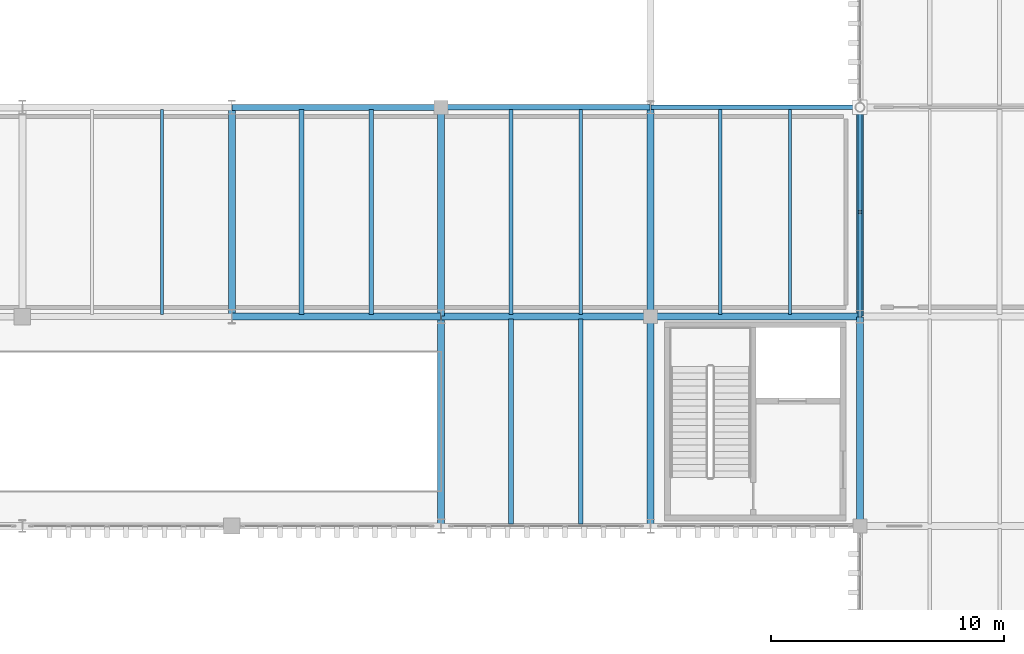
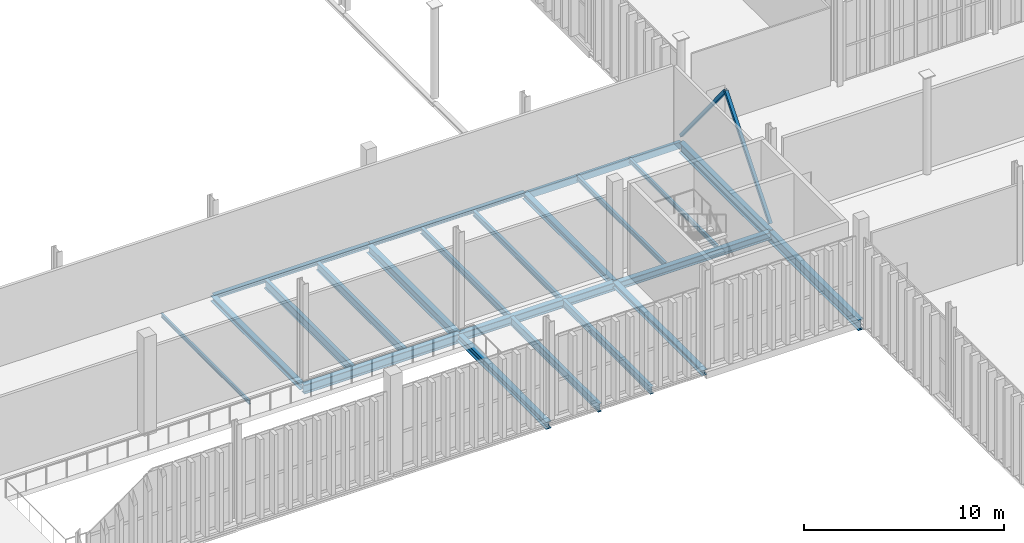
# One storey, part 87 of 237: 22 beams, 2 members.
"""IFC4 building model written with IfcOpenShell, lengths in metres."""

from ifc_helpers import new_model, si_unit, direction, frame, origin, origin_2d, place, context, subcontext, project, spatial, hollow_rectangle, i_section, extrude, material, material_profile, profile_set, type_object, element, save


model = new_model("IFC4")

# Units and contexts
model_context = context("Model", 3, precision=1e-05, world=origin(), true_north=direction((0.0, 1.0)))
body_context = subcontext(model_context, "Body", "Model", "MODEL_VIEW")
ifc_project = project(units=[si_unit("LENGTHUNIT", "METRE"), si_unit("AREAUNIT", "SQUARE_METRE"), si_unit("VOLUMEUNIT", "CUBIC_METRE"), si_unit("PLANEANGLEUNIT", "RADIAN"), si_unit("MASSUNIT", "GRAM", prefix="KILO")], contexts=[model_context])

# Site, building, storey
site_placement = place(None, origin())
site = spatial("IfcSite", under=ifc_project, at=site_placement, CompositionType="ELEMENT")
building_placement = place(site_placement, origin())
building = spatial("IfcBuilding", under=site, at=building_placement, Name="Barlavento Convention Centre", CompositionType="ELEMENT")
storey_placement = place(building_placement, frame((0.0, 0.0, 12.0)))
storey = spatial("IfcBuildingStorey", under=building, at=storey_placement, Name="L02", CompositionType="ELEMENT", Elevation=12.0)

# Beams
ifc_material = material(Name="Steel S355", Category="steel")
ifc_material_profile_1 = material_profile(ifc_material, i_section(OverallWidth=0.1201171875, OverallDepth=0.239990234375, WebThickness=0.006103515625, FlangeThickness=0.009765625, FilletRadius=0.014892578125, at=origin_2d()), Name="IPE 240")
ifc_profile_set_1 = profile_set([ifc_material_profile_1], Name="Steel S355")
beam_type_1 = type_object("IfcBeamType", Name="STR-BM-JST-IPE240", PredefinedType="JOIST", material=ifc_profile_set_1)
beam_1_placement = place(storey_placement, frame((96.0, 54.094970703125, -0.409912109375), z_axis=(0.0, 1.0, 0.0), x_axis=(-1.0, 0.0, 0.0)))
element("IfcBeam", 1, at=beam_1_placement, inside=storey, type_object=beam_type_1, Name="L02 composite floor joist SJ09", PredefinedType="JOIST", context=body_context, shape_type="SweptSolid", body=[
    extrude(i_section(OverallWidth=0.1201171875, OverallDepth=0.239990234375, WebThickness=0.006103515625, FlangeThickness=0.009765625, FilletRadius=0.014892578125, at=origin_2d()), origin(), (0.0, 0.0, 1.0), 8.81005859375),
])
ifc_material_profile_2 = material_profile(ifc_material, i_section(OverallWidth=0.135009765625, OverallDepth=0.27001953125, WebThickness=0.006591796875, FlangeThickness=0.01025390625, FilletRadius=0.014892578125, at=origin_2d()), Name="IPE 270")
ifc_profile_set_2 = profile_set([ifc_material_profile_2], Name="Steel S355")
beam_type_2 = type_object("IfcBeamType", Name="STR-BM-JST-IPE270", PredefinedType="JOIST", material=ifc_profile_set_2)
beam_2_placement = place(storey_placement, frame((123.0, 54.094970703125, -0.425048828125), z_axis=(0.0, 1.0, 0.0), x_axis=(-1.0, 0.0, 0.0)))
element("IfcBeam", 2, at=beam_2_placement, inside=storey, type_object=beam_type_2, Name="L02 composite floor joist SJ08", PredefinedType="JOIST", context=body_context, shape_type="SweptSolid", body=[
    extrude(i_section(OverallWidth=0.135009765625, OverallDepth=0.27001953125, WebThickness=0.006591796875, FlangeThickness=0.01025390625, FilletRadius=0.014892578125, at=origin_2d()), origin(), (0.0, 0.0, 1.0), 8.81005859375),
])
ifc_material_profile_3 = material_profile(ifc_material, i_section(OverallWidth=0.14990234375, OverallDepth=0.300048828125, WebThickness=0.007080078125, FlangeThickness=0.0107421875, FilletRadius=0.014892578125, at=origin_2d()), Name="IPE 300")
ifc_profile_set_3 = profile_set([ifc_material_profile_3], Name="Steel S355")
beam_type_3 = type_object("IfcBeamType", Name="STR-BM-JST-IPE300", PredefinedType="JOIST", material=ifc_profile_set_3)
beam_3_placement = place(storey_placement, frame((120.0, 54.094970703125, -0.43994140625), z_axis=(0.0, 1.0, 0.0), x_axis=(-1.0, 0.0, 0.0)))
element("IfcBeam", 3, at=beam_3_placement, inside=storey, type_object=beam_type_3, Name="L02 composite floor joist SJ07", PredefinedType="JOIST", context=body_context, shape_type="SweptSolid", body=[
    extrude(i_section(OverallWidth=0.14990234375, OverallDepth=0.300048828125, WebThickness=0.007080078125, FlangeThickness=0.0107421875, FilletRadius=0.014892578125, at=origin_2d()), origin(), (0.0, 0.0, 1.0), 8.81005859375),
])
ifc_material_profile_4 = material_profile(ifc_material, i_section(OverallWidth=0.169921875, OverallDepth=0.360107421875, WebThickness=0.008056640625, FlangeThickness=0.0126953125, FilletRadius=0.01806640625, at=origin_2d()), Name="IPE 360")
ifc_profile_set_4 = profile_set([ifc_material_profile_4], Name="Steel S355")
beam_type_4 = type_object("IfcBeamType", Name="STR-BM-JST-IPE360", PredefinedType="JOIST", material=ifc_profile_set_4)
beam_4_placement = place(storey_placement, frame((114.0, 54.094970703125, -0.469970703125), z_axis=(0.0, 1.0, 0.0), x_axis=(-1.0, 0.0, 0.0)))
element("IfcBeam", 4, at=beam_4_placement, inside=storey, type_object=beam_type_4, Name="L02 composite floor joist SJ05", PredefinedType="JOIST", context=body_context, shape_type="SweptSolid", body=[
    extrude(i_section(OverallWidth=0.169921875, OverallDepth=0.360107421875, WebThickness=0.008056640625, FlangeThickness=0.0126953125, FilletRadius=0.01806640625, at=origin_2d()), origin(), (0.0, 0.0, 1.0), 8.81005859375),
])
ifc_material_profile_5 = material_profile(ifc_material, i_section(OverallWidth=0.179931640625, OverallDepth=0.39990234375, WebThickness=0.008544921875, FlangeThickness=0.013427734375, FilletRadius=0.02099609375, at=origin_2d()), Name="IPE 400")
ifc_profile_set_5 = profile_set([ifc_material_profile_5], Name="Steel S355")
beam_type_5 = type_object("IfcBeamType", Name="STR-BM-JST-IPE400", PredefinedType="JOIST", material=ifc_profile_set_5)
beam_5_placement = place(storey_placement, frame((111.0, 54.094970703125, -0.489990234375), z_axis=(0.0, 1.0, 0.0), x_axis=(-1.0, 0.0, 0.0)))
element("IfcBeam", 5, at=beam_5_placement, inside=storey, type_object=beam_type_5, Name="L02 composite floor joist SJ04", PredefinedType="JOIST", context=body_context, shape_type="SweptSolid", body=[
    extrude(i_section(OverallWidth=0.179931640625, OverallDepth=0.39990234375, WebThickness=0.008544921875, FlangeThickness=0.013427734375, FilletRadius=0.02099609375, at=origin_2d()), origin(), (0.0, 0.0, 1.0), 8.81005859375),
])
ifc_material_profile_6 = material_profile(ifc_material, i_section(OverallWidth=0.18994140625, OverallDepth=0.449951171875, WebThickness=0.009521484375, FlangeThickness=0.0146484375, FilletRadius=0.02099609375, at=origin_2d()), Name="IPE 450")
ifc_profile_set_6 = profile_set([ifc_material_profile_6], Name="Steel S355")
beam_type_6 = type_object("IfcBeamType", Name="STR-BM-JST-IPE450", PredefinedType="JOIST", material=ifc_profile_set_6)
beam_6_placement = place(storey_placement, frame((114.0, 45.094970703125, -0.514892578125), z_axis=(0.0, 1.0, 0.0), x_axis=(-1.0, 0.0, 0.0)))
element("IfcBeam", 6, at=beam_6_placement, inside=storey, type_object=beam_type_6, Name="L02 composite floor joist SJ03", PredefinedType="JOIST", context=body_context, shape_type="SweptSolid", body=[
    extrude(i_section(OverallWidth=0.18994140625, OverallDepth=0.449951171875, WebThickness=0.009521484375, FlangeThickness=0.0146484375, FilletRadius=0.02099609375, at=origin_2d()), origin(), (0.0, 0.0, 1.0), 8.81005859375),
])
ifc_material_profile_7 = material_profile(ifc_material, i_section(OverallWidth=0.199951171875, OverallDepth=0.5, WebThickness=0.01025390625, FlangeThickness=0.01611328125, FilletRadius=0.02099609375, at=origin_2d()), Name="IPE 500")
ifc_profile_set_7 = profile_set([ifc_material_profile_7], Name="Steel S355")
beam_type_7 = type_object("IfcBeamType", Name="STR-BM-JST-IPE500", PredefinedType="JOIST", material=ifc_profile_set_7)
for number, where, z_axis, x_axis, name in (
    (7, (111.0, 45.094970703125, -0.5400390625), (0.0, 1.0, 0.0), (-1.0, 0.0, 0.0), "L02 composite floor joist SJ02"),
    (8, (105.0, 54.094970703125, -0.5400390625), (0.0, 1.0, 0.0), (-1.0, 0.0, 0.0), "L02 composite floor joist SJ02"),
):
    element("IfcBeam", number, at=place(storey_placement, frame(where, z_axis=z_axis, x_axis=x_axis)), inside=storey, type_object=beam_type_7, Name=name, PredefinedType="JOIST", context=body_context, shape_type="SweptSolid", body=[
        extrude(i_section(OverallWidth=0.199951171875, OverallDepth=0.5, WebThickness=0.01025390625, FlangeThickness=0.01611328125, FilletRadius=0.02099609375, at=origin_2d()), origin(), (0.0, 0.0, 1.0), 8.81005859375),
    ])
ifc_material_profile_8 = material_profile(ifc_material, i_section(OverallWidth=0.2099609375, OverallDepth=0.550048828125, WebThickness=0.010986328125, FlangeThickness=0.01708984375, FilletRadius=0.02392578125, at=origin_2d()), Name="IPE 550")
ifc_profile_set_8 = profile_set([ifc_material_profile_8], Name="Steel S355")
beam_type_8 = type_object("IfcBeamType", Name="STR-BM-JST-IPE550", PredefinedType="JOIST", material=ifc_profile_set_8)
beam_7_placement = place(storey_placement, frame((102.0, 54.094970703125, -0.56494140625), z_axis=(0.0, 1.0, 0.0), x_axis=(-1.0, 0.0, 0.0)))
element("IfcBeam", 9, at=beam_7_placement, inside=storey, type_object=beam_type_8, Name="L02 composite floor joist SJ01", PredefinedType="JOIST", context=body_context, shape_type="SweptSolid", body=[
    extrude(i_section(OverallWidth=0.2099609375, OverallDepth=0.550048828125, WebThickness=0.010986328125, FlangeThickness=0.01708984375, FilletRadius=0.02392578125, at=origin_2d()), origin(), (0.0, 0.0, 1.0), 8.81005859375),
])
ifc_material_profile_9 = material_profile(ifc_material, i_section(OverallWidth=0.300048828125, OverallDepth=0.330078125, WebThickness=0.009521484375, FlangeThickness=0.0166015625, FilletRadius=0.027099609375, at=origin_2d()), Name="HEA 340")
ifc_profile_set_9 = profile_set([ifc_material_profile_9], Name="Steel S355")
beam_type_9 = type_object("IfcBeamType", Name="STR-BM-PRI-HEA340", PredefinedType="BEAM", material=ifc_profile_set_9)
for number, where, z_axis, x_axis, name in (
    (10, (117.0, 45.02001953125, -0.455078125), (0.0, 1.0, 0.0), (-1.0, 0.0, 0.0), "L02 grid girder BG24"),
    (11, (99.0, 54.02001953125, -0.455078125), (0.0, 1.0, 0.0), (-1.0, 0.0, 0.0), "L02 grid girder BG24"),
):
    element("IfcBeam", number, at=place(storey_placement, frame(where, z_axis=z_axis, x_axis=x_axis)), inside=storey, type_object=beam_type_9, Name=name, PredefinedType="BEAM", context=body_context, shape_type="SweptSolid", body=[
        extrude(i_section(OverallWidth=0.300048828125, OverallDepth=0.330078125, WebThickness=0.009521484375, FlangeThickness=0.0166015625, FilletRadius=0.027099609375, at=origin_2d()), origin(), (0.0, 0.0, 1.0), 8.9599609375),
    ])
ifc_material_profile_10 = material_profile(ifc_material, i_section(OverallWidth=0.300048828125, OverallDepth=0.389892578125, WebThickness=0.010986328125, FlangeThickness=0.01904296875, FilletRadius=0.027099609375, at=origin_2d()), Name="HEA 400")
ifc_profile_set_10 = profile_set([ifc_material_profile_10], Name="Steel S355")
beam_type_10 = type_object("IfcBeamType", Name="STR-BM-PRI-HEA400", PredefinedType="BEAM", material=ifc_profile_set_10)
beam_8_placement = place(storey_placement, frame((117.0, 54.02001953125, -0.485107421875), z_axis=(0.0, 1.0, 0.0), x_axis=(-1.0, 0.0, 0.0)))
element("IfcBeam", 12, at=beam_8_placement, inside=storey, type_object=beam_type_10, Name="L02 grid girder BG22", PredefinedType="BEAM", context=body_context, shape_type="SweptSolid", body=[
    extrude(i_section(OverallWidth=0.300048828125, OverallDepth=0.389892578125, WebThickness=0.010986328125, FlangeThickness=0.01904296875, FilletRadius=0.027099609375, at=origin_2d()), origin(), (0.0, 0.0, 1.0), 8.9599609375),
])
ifc_material_profile_11 = material_profile(ifc_material, i_section(OverallWidth=0.300048828125, OverallDepth=0.43994140625, WebThickness=0.011474609375, FlangeThickness=0.02099609375, FilletRadius=0.027099609375, at=origin_2d()), Name="HEA 450")
ifc_profile_set_11 = profile_set([ifc_material_profile_11], Name="Steel S355")
beam_type_11 = type_object("IfcBeamType", Name="STR-BM-PRI-HEA450", PredefinedType="BEAM", material=ifc_profile_set_11)
beam_9_placement = place(storey_placement, frame((108.0, 45.02001953125, -0.510009765625), z_axis=(0.0, 1.0, 0.0), x_axis=(-1.0, 0.0, 0.0)))
element("IfcBeam", 13, at=beam_9_placement, inside=storey, type_object=beam_type_11, Name="L02 grid girder BG21", PredefinedType="BEAM", context=body_context, shape_type="SweptSolid", body=[
    extrude(i_section(OverallWidth=0.300048828125, OverallDepth=0.43994140625, WebThickness=0.011474609375, FlangeThickness=0.02099609375, FilletRadius=0.027099609375, at=origin_2d()), origin(), (0.0, 0.0, 1.0), 8.9599609375),
])
ifc_material_profile_12 = material_profile(ifc_material, i_section(OverallWidth=0.300048828125, OverallDepth=0.5400390625, WebThickness=0.012451171875, FlangeThickness=0.02392578125, FilletRadius=0.027099609375, at=origin_2d()), Name="HEA 550")
ifc_profile_set_12 = profile_set([ifc_material_profile_12], Name="Steel S355")
beam_type_12 = type_object("IfcBeamType", Name="STR-BM-PRI-HEA550", PredefinedType="BEAM", material=ifc_profile_set_12)
beam_10_placement = place(storey_placement, frame((108.0, 54.02001953125, -0.56005859375), z_axis=(0.0, 1.0, 0.0), x_axis=(-1.0, 0.0, 0.0)))
element("IfcBeam", 14, at=beam_10_placement, inside=storey, type_object=beam_type_12, Name="L02 grid girder BG19", PredefinedType="BEAM", context=body_context, shape_type="SweptSolid", body=[
    extrude(i_section(OverallWidth=0.300048828125, OverallDepth=0.5400390625, WebThickness=0.012451171875, FlangeThickness=0.02392578125, FilletRadius=0.027099609375, at=origin_2d()), origin(), (0.0, 0.0, 1.0), 8.9599609375),
])
ifc_material_profile_13 = material_profile(ifc_material, i_section(OverallWidth=0.300048828125, OverallDepth=0.639892578125, WebThickness=0.013427734375, FlangeThickness=0.02587890625, FilletRadius=0.027099609375, at=origin_2d()), Name="HEA 650")
ifc_profile_set_13 = profile_set([ifc_material_profile_13], Name="Steel S355")
beam_type_13 = type_object("IfcBeamType", Name="STR-BM-PRI-HEA650", PredefinedType="BEAM", material=ifc_profile_set_13)
for number, where, z_axis, x_axis, name in (
    (15, (126.0, 45.02001953125, -0.68994140625), (0.0, 1.0, 0.0), (-1.0, 0.0, 0.0), "L02 grid girder BG17"),
    (16, (126.0, 54.02001953125, -0.68994140625), (0.0, 1.0, 0.0), (-1.0, 0.0, 0.0), "L02 grid girder BG17"),
):
    element("IfcBeam", number, at=place(storey_placement, frame(where, z_axis=z_axis, x_axis=x_axis)), inside=storey, type_object=beam_type_13, Name=name, PredefinedType="BEAM", context=body_context, shape_type="SweptSolid", body=[
        extrude(i_section(OverallWidth=0.300048828125, OverallDepth=0.639892578125, WebThickness=0.013427734375, FlangeThickness=0.02587890625, FilletRadius=0.027099609375, at=origin_2d()), origin(), (0.0, 0.0, 1.0), 8.9599609375),
    ])
ifc_material_profile_14 = material_profile(ifc_material, i_section(OverallWidth=0.300048828125, OverallDepth=0.449951171875, WebThickness=0.013916015625, FlangeThickness=0.02587890625, FilletRadius=0.027099609375, at=origin_2d()), Name="HEB 450")
ifc_profile_set_14 = profile_set([ifc_material_profile_14], Name="Steel S355")
beam_type_14 = type_object("IfcBeamType", Name="STR-BM-PRI-HEB450", PredefinedType="BEAM", material=ifc_profile_set_14)
beam_11_placement = place(storey_placement, frame((117.02001953125, 54.0, -0.594970703125), z_axis=(1.0, 0.0, 0.0), x_axis=(0.0, 1.0, 0.0)))
element("IfcBeam", 17, at=beam_11_placement, inside=storey, type_object=beam_type_14, Name="L02 primary girder BG10", PredefinedType="BEAM", context=body_context, shape_type="SweptSolid", body=[
    extrude(i_section(OverallWidth=0.300048828125, OverallDepth=0.449951171875, WebThickness=0.013916015625, FlangeThickness=0.02587890625, FilletRadius=0.027099609375, at=origin_2d()), origin(), (0.0, 0.0, 1.0), 8.9599609375),
])
ifc_material_profile_15 = material_profile(ifc_material, i_section(OverallWidth=0.300048828125, OverallDepth=0.5, WebThickness=0.014404296875, FlangeThickness=0.028076171875, FilletRadius=0.027099609375, at=origin_2d()), Name="HEB 500")
ifc_profile_set_15 = profile_set([ifc_material_profile_15], Name="Steel S355")
beam_type_15 = type_object("IfcBeamType", Name="STR-BM-PRI-HEB500", PredefinedType="BEAM", material=ifc_profile_set_15)
beam_12_placement = place(storey_placement, frame((108.02001953125, 54.0, -0.5400390625), z_axis=(1.0, 0.0, 0.0), x_axis=(0.0, 1.0, 0.0)))
element("IfcBeam", 18, at=beam_12_placement, inside=storey, type_object=beam_type_15, Name="L02 primary girder BG09", PredefinedType="BEAM", context=body_context, shape_type="SweptSolid", body=[
    extrude(i_section(OverallWidth=0.300048828125, OverallDepth=0.5, WebThickness=0.014404296875, FlangeThickness=0.028076171875, FilletRadius=0.027099609375, at=origin_2d()), origin(), (0.0, 0.0, 1.0), 8.9599609375),
])
ifc_material_profile_16 = material_profile(ifc_material, i_section(OverallWidth=0.300048828125, OverallDepth=0.550048828125, WebThickness=0.014892578125, FlangeThickness=0.029052734375, FilletRadius=0.027099609375, at=origin_2d()), Name="HEB 550")
ifc_profile_set_16 = profile_set([ifc_material_profile_16], Name="Steel S355")
beam_type_16 = type_object("IfcBeamType", Name="STR-BM-PRI-HEB550", PredefinedType="BEAM", material=ifc_profile_set_16)
beam_13_placement = place(storey_placement, frame((99.02001953125, 54.0, -0.56494140625), z_axis=(1.0, 0.0, 0.0), x_axis=(0.0, 1.0, 0.0)))
element("IfcBeam", 19, at=beam_13_placement, inside=storey, type_object=beam_type_16, Name="L02 primary girder BG08", PredefinedType="BEAM", context=body_context, shape_type="SweptSolid", body=[
    extrude(i_section(OverallWidth=0.300048828125, OverallDepth=0.550048828125, WebThickness=0.014892578125, FlangeThickness=0.029052734375, FilletRadius=0.027099609375, at=origin_2d()), origin(), (0.0, 0.0, 1.0), 8.9599609375),
])
ifc_material_profile_17 = material_profile(ifc_material, i_section(OverallWidth=0.239990234375, OverallDepth=0.22998046875, WebThickness=0.007568359375, FlangeThickness=0.011962890625, FilletRadius=0.02099609375, at=origin_2d()), Name="HEA 240")
ifc_profile_set_17 = profile_set([ifc_material_profile_17], Name="Steel S355")
beam_type_17 = type_object("IfcBeamType", Name="STR-BM-SPN-HEA240", PredefinedType="SPANDREL", material=ifc_profile_set_17)
beam_14_placement = place(storey_placement, frame((108.02001953125, 63.0, -0.39501953125), z_axis=(1.0, 0.0, 0.0), x_axis=(0.0, 1.0, 0.0)))
element("IfcBeam", 20, at=beam_14_placement, inside=storey, type_object=beam_type_17, Name="L02 primary girder SP05", PredefinedType="SPANDREL", context=body_context, shape_type="SweptSolid", body=[
    extrude(i_section(OverallWidth=0.239990234375, OverallDepth=0.22998046875, WebThickness=0.007568359375, FlangeThickness=0.011962890625, FilletRadius=0.02099609375, at=origin_2d()), origin(), (0.0, 0.0, 1.0), 8.9599609375),
])
ifc_material_profile_18 = material_profile(ifc_material, i_section(OverallWidth=0.260009765625, OverallDepth=0.25, WebThickness=0.007568359375, FlangeThickness=0.012451171875, FilletRadius=0.02392578125, at=origin_2d()), Name="HEA 260")
ifc_profile_set_18 = profile_set([ifc_material_profile_18], Name="Steel S355")
beam_type_18 = type_object("IfcBeamType", Name="STR-BM-SPN-HEA260", PredefinedType="SPANDREL", material=ifc_profile_set_18)
beam_15_placement = place(storey_placement, frame((99.02001953125, 63.0, -0.405029296875), z_axis=(1.0, 0.0, 0.0), x_axis=(0.0, 1.0, 0.0)))
element("IfcBeam", 21, at=beam_15_placement, inside=storey, type_object=beam_type_18, Name="L02 primary girder SP04", PredefinedType="SPANDREL", context=body_context, shape_type="SweptSolid", body=[
    extrude(i_section(OverallWidth=0.260009765625, OverallDepth=0.25, WebThickness=0.007568359375, FlangeThickness=0.012451171875, FilletRadius=0.02392578125, at=origin_2d()), origin(), (0.0, 0.0, 1.0), 8.9599609375),
])
ifc_material_profile_19 = material_profile(ifc_material, hollow_rectangle(XDim=0.199951171875, YDim=0.39990234375, WallThickness=0.01611328125, at=origin_2d()), Name="RHS 400x200x16.0")
ifc_profile_set_19 = profile_set([ifc_material_profile_19], Name="Steel S355")
beam_type_19 = type_object("IfcBeamType", Name="STR-BM-SPN-RHS400", PredefinedType="SPANDREL", material=ifc_profile_set_19)
beam_16_placement = place(storey_placement, frame((117.02001953125, 63.0, -0.56005859375), z_axis=(1.0, 0.0, 0.0), x_axis=(0.0, 1.0, 0.0)))
element("IfcBeam", 22, at=beam_16_placement, inside=storey, type_object=beam_type_19, Name="L02 primary girder SP06", PredefinedType="SPANDREL", context=body_context, shape_type="SweptSolid", body=[
    extrude(hollow_rectangle(XDim=0.199951171875, YDim=0.39990234375, WallThickness=0.01611328125, at=origin_2d()), origin(), (0.0, 0.0, 1.0), 8.9599609375),
])

# Members
ifc_material_profile_20 = material_profile(ifc_material, hollow_rectangle(XDim=0.179931640625, YDim=0.179931640625, WallThickness=0.010009765625, at=origin_2d()), Name="SHS 180x180x10.0")
ifc_profile_set_20 = profile_set([ifc_material_profile_20], Name="Steel S355")
member_type = type_object("IfcMemberType", Name="STR-MEM-BRC-SHS180", PredefinedType="BRACE", material=ifc_profile_set_20)
for number, where, z_axis, x_axis, name in (
    (23, (126.0, 54.050048828125, 0.0), (0.0, 0.633858730536, 0.773448841051), (-1.0, 0.0, 0.0), "Concentric lateral chevron brace BF03"),
    (24, (126.0, 62.949951171875, 0.0), (0.0, -0.633858730536, 0.773448841051), (1.0, 0.0, 0.0), "Concentric lateral chevron brace BF03"),
):
    element("IfcMember", number, at=place(storey_placement, frame(where, z_axis=z_axis, x_axis=x_axis)), inside=storey, type_object=member_type, Name=name, PredefinedType="BRACE", context=body_context, shape_type="SweptSolid", body=[
        extrude(hollow_rectangle(XDim=0.179931640625, YDim=0.179931640625, WallThickness=0.010009765625, at=origin_2d()), origin(), (0.0, 0.0, 1.0), 7.0205078125),
    ])

save(model, "model.ifc")
